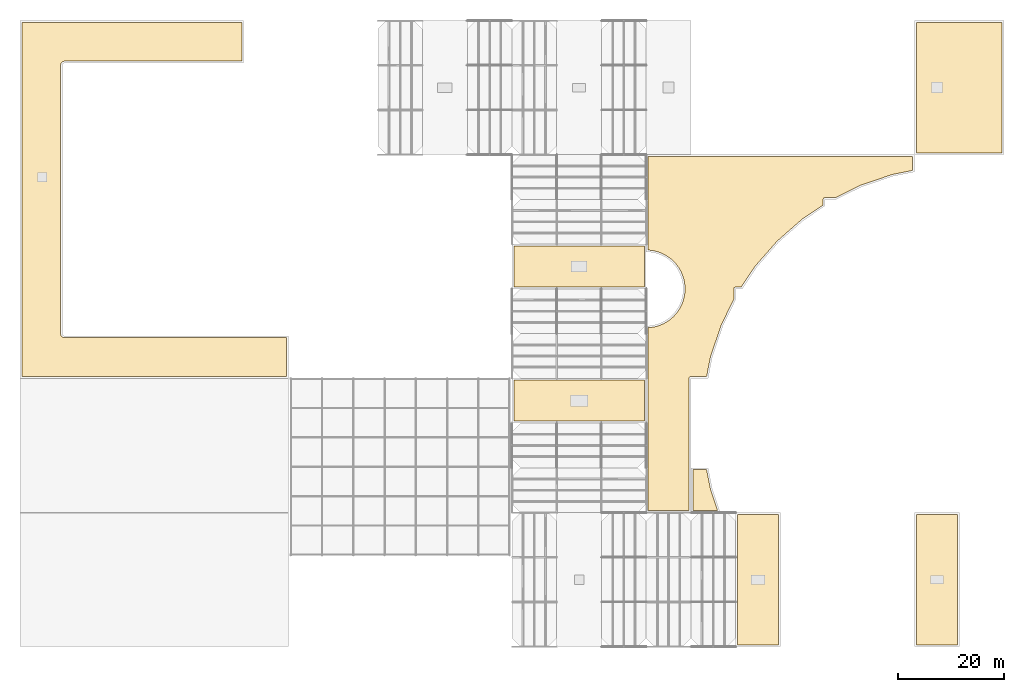
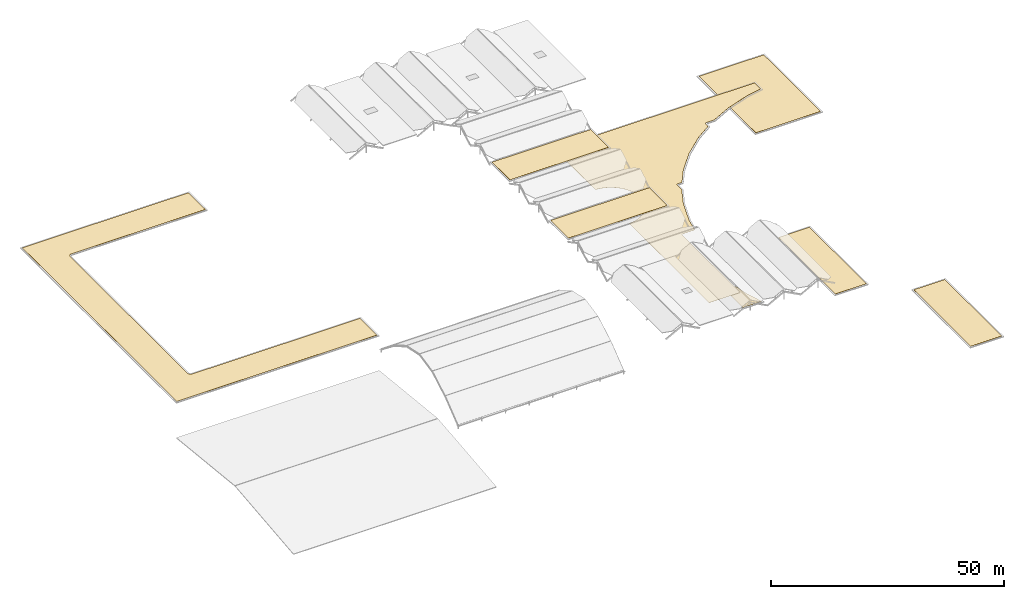
# One storey, part 82 of 82: 8 coverings.
"""IFC4 building model written with IfcOpenShell, lengths in metres."""

from ifc_helpers import new_model, si_unit, direction, frame, origin, place, context, subcontext, project, spatial, polyline, outline, extrude, material, layer, layer_set, type_object, element, save


model = new_model("IFC4")

# Units and contexts
model_context = context("Model", 3, precision=1e-05, world=origin(), true_north=direction((0.0, 1.0)))
body_context = subcontext(model_context, "Body", "Model", "MODEL_VIEW")
ifc_project = project(units=[si_unit("LENGTHUNIT", "METRE"), si_unit("AREAUNIT", "SQUARE_METRE"), si_unit("VOLUMEUNIT", "CUBIC_METRE"), si_unit("PLANEANGLEUNIT", "RADIAN"), si_unit("MASSUNIT", "GRAM", prefix="KILO")], contexts=[model_context])

# Site, building, storey
site_placement = place(None, origin())
site = spatial("IfcSite", under=ifc_project, at=site_placement, CompositionType="ELEMENT")
building_placement = place(site_placement, origin())
building = spatial("IfcBuilding", under=site, at=building_placement, Name="Bramfleet General Hospital", CompositionType="ELEMENT")
storey_placement = place(building_placement, frame((0.0, 0.0, 34.199951171875)))
storey = spatial("IfcBuildingStorey", under=building, at=storey_placement, Name="Roof", CompositionType="ELEMENT", Elevation=34.199951171875)

# Coverings
ifc_material = material(Name="Standing-seam titanium-zinc roofing")
ifc_layer = layer(ifc_material, 0.02001953125, Name="COV-ZINC-ROOF")
ifc_layer_set = layer_set([ifc_layer], Name="Standing-seam titanium-zinc roofing")
covering_type = type_object("IfcCoveringType", Name="COV-ZINC-ROOF", PredefinedType="ROOFING", material=ifc_layer_set)
covering_1_placement = place(storey_placement, frame((0.0, 0.0, -15.599853515625)))
element("IfcCovering", 1, at=covering_1_placement, inside=storey, type_object=covering_type, Name="Standing-Seam Zinc Roof Covering 1", PredefinedType="ROOFING", context=body_context, shape_type="SweptSolid", body=[
    extrude(outline(polyline([(146.985107421875, 80.3720703125), (146.94873046875, 80.343994140625), (142.22802734375, 76.2041015625), (142.19580078125, 76.171875), (138.055908203125, 71.451416015625), (138.028076171875, 71.414794921875), (135.445556640625, 67.550048828125), (134.39990234375, 67.550048828125), (134.36572265625, 67.54833984375), (134.331787109375, 67.543212890625), (134.29833984375, 67.534912109375), (134.26611328125, 67.5234375), (134.235107421875, 67.5087890625), (134.20556640625, 67.490966796875), (134.177978515625, 67.470703125), (134.152587890625, 67.447509765625), (134.12939453125, 67.422119140625), (134.10888671875, 67.394287109375), (134.09130859375, 67.364990234375), (134.07666015625, 67.333984375), (134.065185546875, 67.301513671875), (134.056640625, 67.268310546875), (134.0517578125, 67.234375), (134.050048828125, 67.199951171875), (134.050048828125, 65.2080078125), (131.739990234375, 60.523681640625), (131.722412109375, 60.481201171875), (129.7041015625, 54.535888671875), (129.6923828125, 54.49169921875), (128.947998046875, 50.75), (126.0, 50.75), (125.9658203125, 50.748291015625), (125.931640625, 50.743408203125), (125.8984375, 50.73486328125), (125.8662109375, 50.723388671875), (125.8349609375, 50.708740234375), (125.8056640625, 50.69091796875), (125.778076171875, 50.670654296875), (125.75244140625, 50.6474609375), (125.7294921875, 50.6220703125), (125.708984375, 50.594482421875), (125.69140625, 50.56494140625), (125.676513671875, 50.533935546875), (125.6650390625, 50.501708984375), (125.65673828125, 50.46826171875), (125.651611328125, 50.434326171875), (125.64990234375, 50.39990234375), (125.64990234375, 25.550048828125), (117.949951171875, 25.550048828125), (117.949951171875, 59.916748046875), (118.29833984375, 59.933837890625), (118.33251953125, 59.937255859375), (119.007080078125, 60.037353515625), (119.041015625, 60.0439453125), (119.70263671875, 60.209716796875), (119.7353515625, 60.2197265625), (120.37744140625, 60.449462890625), (120.4091796875, 60.462646484375), (121.02587890625, 60.754150390625), (121.05615234375, 60.7705078125), (121.64111328125, 61.12109375), (121.669677734375, 61.14013671875), (122.217529296875, 61.54638671875), (122.243896484375, 61.568115234375), (122.74951171875, 62.026123046875), (122.773681640625, 62.050537109375), (123.231689453125, 62.555908203125), (123.25341796875, 62.58251953125), (123.659912109375, 63.13037109375), (123.678955078125, 63.15869140625), (124.029541015625, 63.743896484375), (124.0458984375, 63.774169921875), (124.33740234375, 64.390869140625), (124.3505859375, 64.422607421875), (124.580078125, 65.064697265625), (124.590087890625, 65.097412109375), (124.756103515625, 65.759033203125), (124.7626953125, 65.792724609375), (124.86279296875, 66.467529296875), (124.8662109375, 66.501708984375), (124.899658203125, 67.182861328125), (124.899658203125, 67.21728515625), (124.8662109375, 67.8984375), (124.86279296875, 67.9326171875), (124.7626953125, 68.607177734375), (124.756103515625, 68.64111328125), (124.590087890625, 69.302490234375), (124.580078125, 69.33544921875), (124.3505859375, 69.9775390625), (124.33740234375, 70.00927734375), (124.0458984375, 70.625732421875), (124.029541015625, 70.65625), (123.678955078125, 71.2412109375), (123.659912109375, 71.269775390625), (123.25341796875, 71.8173828125), (123.231689453125, 71.843994140625), (122.773681640625, 72.349365234375), (122.74951171875, 72.373779296875), (122.243896484375, 72.831787109375), (122.217529296875, 72.853515625), (121.669677734375, 73.259765625), (121.64111328125, 73.27880859375), (121.05615234375, 73.629638671875), (121.02587890625, 73.645751953125), (120.4091796875, 73.9375), (120.37744140625, 73.950439453125), (119.7353515625, 74.18017578125), (119.70263671875, 74.190185546875), (119.041015625, 74.35595703125), (119.007080078125, 74.36279296875), (118.33251953125, 74.462646484375), (118.29833984375, 74.466064453125), (117.949951171875, 74.483154296875), (117.949951171875, 92.050048828125), (167.64990234375, 92.050048828125), (167.64990234375, 89.451904296875), (163.908447265625, 88.707763671875), (163.8642578125, 88.69580078125), (157.918701171875, 86.677490234375), (157.87646484375, 86.66015625), (153.19189453125, 84.35009765625), (151.199951171875, 84.35009765625), (151.165771484375, 84.348388671875), (151.131591796875, 84.34326171875), (151.098388671875, 84.3349609375), (151.066162109375, 84.323486328125), (151.034912109375, 84.30859375), (151.005615234375, 84.291015625), (150.97802734375, 84.2705078125), (150.952392578125, 84.24755859375), (150.929443359375, 84.221923828125), (150.908935546875, 84.1943359375), (150.891357421875, 84.1650390625), (150.876708984375, 84.1337890625), (150.864990234375, 84.1015625), (150.856689453125, 84.068359375), (150.851806640625, 84.0341796875), (150.85009765625, 84.0), (150.85009765625, 82.95458984375), (146.985107421875, 80.3720703125)])), origin(), (0.0, 0.0, 1.0), 0.02001953125),
])
covering_2_placement = place(storey_placement, frame((0.0, 0.0, -15.599853515625)))
element("IfcCovering", 2, at=covering_2_placement, inside=storey, type_object=covering_type, Name="Standing-Seam Zinc Roof Covering 2", PredefinedType="ROOFING", context=body_context, shape_type="SweptSolid", body=[
    extrude(outline(polyline([(0.35009765625, 117.25), (41.64990234375, 117.25), (41.64990234375, 109.969970703125), (8.39990234375, 109.969970703125), (8.383056640625, 109.969482421875), (8.341796875, 109.967529296875), (8.306884765625, 109.964111328125), (8.26611328125, 109.9580078125), (8.233154296875, 109.951416015625), (8.193115234375, 109.94140625), (8.16015625, 109.931396484375), (8.121337890625, 109.91748046875), (8.08984375, 109.904541015625), (8.052490234375, 109.886962890625), (8.021728515625, 109.870361328125), (7.986572265625, 109.84912109375), (7.95849609375, 109.83056640625), (7.92529296875, 109.805908203125), (7.898681640625, 109.7841796875), (7.8681640625, 109.756591796875), (7.843505859375, 109.73193359375), (7.81591796875, 109.701416015625), (7.7939453125, 109.674560546875), (7.76953125, 109.6416015625), (7.750732421875, 109.613525390625), (7.7294921875, 109.578125), (7.713134765625, 109.54736328125), (7.695556640625, 109.510009765625), (7.6826171875, 109.478759765625), (7.668701171875, 109.43994140625), (7.65869140625, 109.40673828125), (7.648681640625, 109.36669921875), (7.64208984375, 109.333740234375), (7.635986328125, 109.293212890625), (7.63232421875, 109.25830078125), (7.63037109375, 109.217041015625), (7.6298828125, 109.199951171875), (7.6298828125, 58.800048828125), (7.63037109375, 58.782958984375), (7.63232421875, 58.74169921875), (7.635986328125, 58.706787109375), (7.64208984375, 58.666259765625), (7.648681640625, 58.63330078125), (7.65869140625, 58.59326171875), (7.668701171875, 58.56005859375), (7.6826171875, 58.521240234375), (7.695556640625, 58.489990234375), (7.713134765625, 58.45263671875), (7.7294921875, 58.421875), (7.750732421875, 58.386474609375), (7.76953125, 58.3583984375), (7.7939453125, 58.325439453125), (7.81591796875, 58.298583984375), (7.843505859375, 58.26806640625), (7.8681640625, 58.243408203125), (7.898681640625, 58.2158203125), (7.92529296875, 58.194091796875), (7.95849609375, 58.16943359375), (7.986572265625, 58.15087890625), (8.021728515625, 58.129638671875), (8.052490234375, 58.113037109375), (8.08984375, 58.095458984375), (8.121337890625, 58.08251953125), (8.16015625, 58.068603515625), (8.193115234375, 58.05859375), (8.233154296875, 58.048583984375), (8.26611328125, 58.0419921875), (8.306884765625, 58.035888671875), (8.341796875, 58.032470703125), (8.383056640625, 58.030517578125), (8.39990234375, 58.030029296875), (50.050048828125, 58.030029296875), (50.050048828125, 50.75), (0.35009765625, 50.75), (0.35009765625, 117.25)])), origin(), (0.0, 0.0, 1.0), 0.02001953125),
])
covering_3_placement = place(storey_placement, frame((0.0, 0.0, -29.39990234375)))
element("IfcCovering", 3, at=covering_3_placement, inside=storey, type_object=covering_type, Name="Standing-Seam Zinc Roof Covering 3", PredefinedType="ROOFING", context=body_context, shape_type="SweptSolid", body=[
    extrude(outline(polyline([(184.449951171875, 92.75), (168.35009765625, 92.75), (168.35009765625, 117.25), (184.449951171875, 117.25), (184.449951171875, 92.75)])), origin(), (0.0, 0.0, 1.0), 0.02001953125),
])
covering_4_placement = place(storey_placement, frame((0.0, 0.0, -29.39990234375)))
element("IfcCovering", 4, at=covering_4_placement, inside=storey, type_object=covering_type, Name="Standing-Seam Zinc Roof Covering 4", PredefinedType="ROOFING", context=body_context, shape_type="SweptSolid", body=[
    extrude(outline(polyline([(168.35009765625, 0.35009765625), (168.35009765625, 24.85009765625), (176.050048828125, 24.85009765625), (176.050048828125, 0.35009765625), (168.35009765625, 0.35009765625)])), origin(), (0.0, 0.0, 1.0), 0.02001953125),
])
covering_5_placement = place(storey_placement, frame((0.0, 0.0, -19.800048828125)))
element("IfcCovering", 5, at=covering_5_placement, inside=storey, type_object=covering_type, Name="Standing-Seam Zinc Roof Covering 5", PredefinedType="ROOFING", context=body_context, shape_type="SweptSolid", body=[
    extrude(outline(polyline([(126.35009765625, 33.25), (128.947998046875, 33.25), (129.6923828125, 29.50830078125), (129.7041015625, 29.464111328125), (131.032958984375, 25.550048828125), (126.35009765625, 25.550048828125), (126.35009765625, 33.25)])), origin(), (0.0, 0.0, 1.0), 0.02001953125),
])
covering_6_placement = place(storey_placement, frame((0.0, 0.0, -3.89990234375)))
element("IfcCovering", 6, at=covering_6_placement, inside=storey, type_object=covering_type, Name="Standing-Seam Zinc Roof Covering 6", PredefinedType="ROOFING", context=body_context, shape_type="SweptSolid", body=[
    extrude(outline(polyline([(142.449951171875, 0.35009765625), (134.75, 0.35009765625), (134.75, 24.85009765625), (142.449951171875, 24.85009765625), (142.449951171875, 0.35009765625)])), origin(), (0.0, 0.0, 1.0), 0.02001953125),
])
covering_7_placement = place(storey_placement, origin())
element("IfcCovering", 7, at=covering_7_placement, inside=storey, type_object=covering_type, Name="Standing-Seam Zinc Roof Covering 7", PredefinedType="ROOFING", context=body_context, shape_type="SweptSolid", body=[
    extrude(outline(polyline([(92.75, 75.25), (117.25, 75.25), (117.25, 67.550048828125), (92.75, 67.550048828125), (92.75, 75.25)])), origin(), (0.0, 0.0, 1.0), 0.02001953125),
])
covering_8_placement = place(storey_placement, origin())
element("IfcCovering", 8, at=covering_8_placement, inside=storey, type_object=covering_type, Name="Standing-Seam Zinc Roof Covering 8", PredefinedType="ROOFING", context=body_context, shape_type="SweptSolid", body=[
    extrude(outline(polyline([(92.75, 50.050048828125), (117.25, 50.050048828125), (117.25, 42.35009765625), (92.75, 42.35009765625), (92.75, 50.050048828125)])), origin(), (0.0, 0.0, 1.0), 0.02001953125),
])

save(model, "model.ifc")
